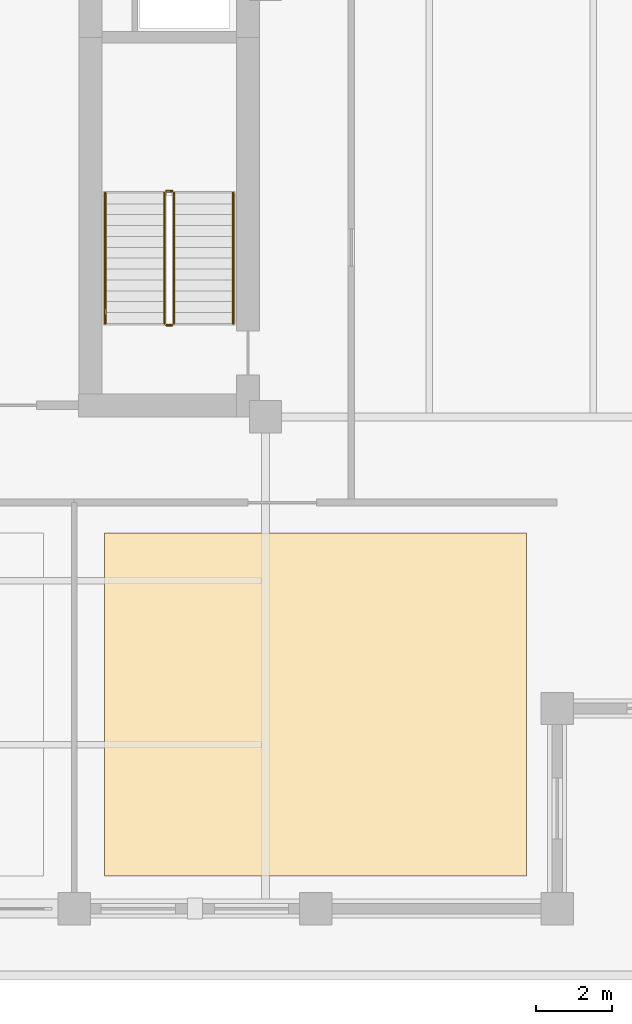
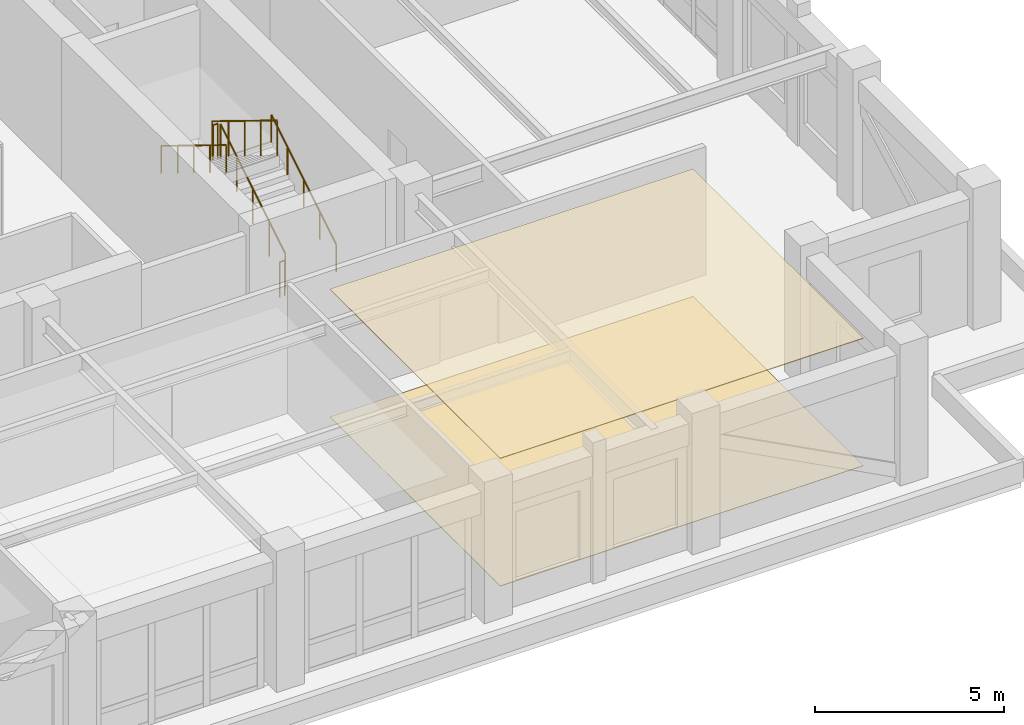
# One storey, part 13 of 14: 6 railings, 2 coverings.
"""IFC4 building model written with IfcOpenShell, lengths in metres."""

import ifcopenshell
import ifcopenshell.guid

model = None  # the IFC model being written
_history = None  # IfcOwnerHistory: only IFC2X3 demands one
_inside = {}  # id of a spatial element -> (the spatial element, [elements in it])
_under = {}  # id of a project, library or spatial element -> (it, [spatial elements below it])
_declared = {}  # id of a project -> (the project, [libraries it declares])
_typed = {}  # id of a type object -> (the type object, [elements of that type])
_made_of = {}  # id of a material, layer set ... -> (it, [elements and type objects made of it])


def new_model(schema):
    """Start an empty IFC model of exactly this schema.

    Asked for "IFC4X3", IfcOpenShell would pick the latest addendum, in which some entities
    have other attributes; the version numbers below select the first issue.
    IFC2X3 requires an IfcOwnerHistory on every rooted entity: one is made here for all.
    """
    global model, _history
    if schema == "IFC4X3":
        model = ifcopenshell.file(schema_version=(4, 3, 0, 0))
    else:
        model = ifcopenshell.file(schema=schema)
    _inside.clear()
    _under.clear()
    _declared.clear()
    _typed.clear()
    _made_of.clear()
    _history = None
    if model.schema == "IFC2X3":
        org = make("IfcOrganization", Name="unknown")
        user = make(
            "IfcPersonAndOrganization",
            ThePerson=make("IfcPerson", FamilyName="unknown"),
            TheOrganization=org,
        )
        app = make(
            "IfcApplication",
            ApplicationDeveloper=org,
            Version="unknown",
            ApplicationFullName="unknown",
            ApplicationIdentifier="unknown",
        )
        _history = make(
            "IfcOwnerHistory",
            OwningUser=user,
            OwningApplication=app,
            ChangeAction="ADDED",
            CreationDate=0,
        )
    return model


def make(cls, **values):
    """One entity of the class cls with the attributes given. An attribute that is None is left unset."""
    return model.create_entity(
        cls, **{name: value for name, value in values.items() if value is not None}
    )


def rooted(cls, **values):
    """An entity with a GlobalId (a new one), such as an element, a storey or a relation."""
    return make(cls, GlobalId=ifcopenshell.guid.new(), OwnerHistory=_history, **values)


def si_unit(unit_type, name, prefix=None):
    """IfcSIUnit, for example si_unit("LENGTHUNIT", "METRE", prefix="MILLI")."""
    return make("IfcSIUnit", UnitType=unit_type, Prefix=prefix, Name=name)


def assignment(units):
    """IfcUnitAssignment: the units of a project."""
    return None if units is None else make("IfcUnitAssignment", Units=units)


def point(xyz):
    """IfcCartesianPoint."""
    return None if xyz is None else make("IfcCartesianPoint", Coordinates=xyz)


def direction(xyz):
    """IfcDirection."""
    return None if xyz is None else make("IfcDirection", DirectionRatios=xyz)


def frame(location, z_axis=None, x_axis=None):
    """IfcAxis2Placement3D, a coordinate frame: its origin and axes. An axis left out is left unset."""
    return make(
        "IfcAxis2Placement3D",
        Location=point(location),
        Axis=direction(z_axis),
        RefDirection=direction(x_axis),
    )


def frame_2d(location, x_axis=None):
    """IfcAxis2Placement2D, a coordinate frame in the plane: its origin and x axis."""
    return make(
        "IfcAxis2Placement2D", Location=point(location), RefDirection=direction(x_axis)
    )


def origin():
    """The frame at (0, 0, 0) with its axes left unset."""
    return frame((0.0, 0.0, 0.0))


def origin_2d():
    """The frame at (0, 0) in the plane with its x axis left unset."""
    return frame_2d((0.0, 0.0))


def place(relative_to, where):
    """IfcLocalPlacement: puts the frame where relative to a parent placement (None: the world)."""
    return make(
        "IfcLocalPlacement", PlacementRelTo=relative_to, RelativePlacement=where
    )


def context(
    kind, dimensions, precision=None, world=None, true_north=None, identifier=None
):
    """IfcGeometricRepresentationContext, for example the 3D "Model" context."""
    return make(
        "IfcGeometricRepresentationContext",
        ContextIdentifier=identifier,
        ContextType=kind,
        CoordinateSpaceDimension=dimensions,
        Precision=precision,
        WorldCoordinateSystem=world,
        TrueNorth=true_north,
    )


def subcontext(parent, identifier, kind, view, scale=None):
    """IfcGeometricRepresentationSubContext, for example "Body" below "Model"."""
    return make(
        "IfcGeometricRepresentationSubContext",
        ContextIdentifier=identifier,
        ContextType=kind,
        ParentContext=parent,
        TargetScale=scale,
        TargetView=view,
    )


def project(units=None, contexts=None):
    """IfcProject with its units and contexts."""
    return rooted(
        "IfcProject",
        Name="project",
        RepresentationContexts=contexts,
        UnitsInContext=assignment(units),
    )


def spatial(cls, under=None, at=None, **own):
    """A site, building, storey or space (cls), placed at a placement, below another one or the project."""
    s = rooted(cls, ObjectPlacement=at, **own)
    if under is not None:
        _under.setdefault(under.id(), (under, []))[1].append(s)
    return s


def polyline(points):
    """IfcPolyline through the points."""
    return make("IfcPolyline", Points=[point(p) for p in points])


def profile(cls, at=None, kind="AREA", **sizes):
    """A parametric profile (cls). Its sizes go by their IFC names, for example OverallWidth=200.0."""
    return make(cls, ProfileType=kind, Position=at, **sizes)


def circle(**sizes):
    """IfcCircleProfileDef."""
    return profile("IfcCircleProfileDef", **sizes)


def outline(outer, holes=None, kind="AREA"):
    """IfcArbitraryClosedProfileDef: a profile drawn as a closed curve; with holes, ...WithVoids."""
    if holes is None:
        return make("IfcArbitraryClosedProfileDef", ProfileType=kind, OuterCurve=outer)
    return make(
        "IfcArbitraryProfileDefWithVoids",
        ProfileType=kind,
        OuterCurve=outer,
        InnerCurves=holes,
    )


def extrude(swept, where, along, depth):
    """IfcExtrudedAreaSolid: the profile swept, set in the frame where, extruded along a direction by depth."""
    return make(
        "IfcExtrudedAreaSolid",
        SweptArea=swept,
        Position=where,
        ExtrudedDirection=direction(along),
        Depth=depth,
    )


def shape(context_of_items, identifier, shape_type, items):
    """IfcShapeRepresentation: the items that make up one representation, for example the "Body"."""
    return make(
        "IfcShapeRepresentation",
        ContextOfItems=context_of_items,
        RepresentationIdentifier=identifier,
        RepresentationType=shape_type,
        Items=items,
    )


def material(Name=None, Category=None):
    """IfcMaterial."""
    return make("IfcMaterial", Name=Name, Category=Category)


def layer(
    of_material, thickness, ventilated=None, Name=None, Category=None, Priority=None
):
    """IfcMaterialLayer: one layer of a wall or slab, of a material (None: an air gap)."""
    return make(
        "IfcMaterialLayer",
        Material=of_material,
        LayerThickness=thickness,
        IsVentilated=ventilated,
        Name=Name,
        Category=Category,
        Priority=Priority,
    )


def layer_set(layers, Name=None):
    """IfcMaterialLayerSet."""
    return make("IfcMaterialLayerSet", MaterialLayers=layers, LayerSetName=Name)


def made_of(thing, what):
    """Note that an element or type object is made of a material, layer set ...; save() writes the relation."""
    if what is not None:
        _made_of.setdefault(what.id(), (what, []))[1].append(thing)
    return thing


def type_object(cls, material=None, **own):
    """A type object (cls), such as IfcWallType, which elements share."""
    return made_of(rooted(cls, **own), material)


def element(
    cls,
    number,
    at=None,
    inside=None,
    cuts=None,
    type_object=None,
    material=None,
    context=None,
    identifier="Body",
    shape_type=None,
    held_by="IfcProductDefinitionShape",
    body=None,
    shapes=None,
    **own,
):
    """One element of the class cls, such as IfcWall. Its Tag is "e" and its number.

    at: its placement. inside: the storey or other place that contains it. cuts: it is an
    opening in that element (IfcRelVoidsElement). A single representation is given by context,
    identifier, shape_type and body (its items); several are given by shapes. held_by: the class
    of the entity that holds the representations. save() writes the other relations.
    """
    e = rooted(cls, Tag="e%d" % number, ObjectPlacement=at, **own)
    if body is not None:
        shapes = [shape(context, identifier, shape_type, body)]
    if shapes is not None:
        e.Representation = make(held_by, Representations=shapes)
    if inside is not None:
        _inside.setdefault(inside.id(), (inside, []))[1].append(e)
    if cuts is not None:
        rooted(
            "IfcRelVoidsElement", RelatingBuildingElement=cuts, RelatedOpeningElement=e
        )
    if type_object is not None:
        _typed.setdefault(type_object.id(), (type_object, []))[1].append(e)
    return made_of(e, material)


def aggregate(whole, parts):
    """IfcRelAggregates: a whole, such as a stair, and the parts it consists of."""
    return rooted("IfcRelAggregates", RelatingObject=whole, RelatedObjects=parts)


def save(model, path):
    """Write the relations noted so far, then the file.

    IfcRelAggregates (storeys below a building ...), IfcRelContainedInSpatialStructure (elements
    in a storey), IfcRelDefinesByType, IfcRelAssociatesMaterial and IfcRelDeclares: one each for
    every whole, place, type object, material and project.
    """
    for whole, parts in _under.values():
        aggregate(whole, parts)
    for where, things in _inside.values():
        rooted(
            "IfcRelContainedInSpatialStructure",
            RelatedElements=things,
            RelatingStructure=where,
        )
    for kind, things in _typed.values():
        rooted("IfcRelDefinesByType", RelatedObjects=things, RelatingType=kind)
    for what, things in _made_of.values():
        rooted("IfcRelAssociatesMaterial", RelatedObjects=things, RelatingMaterial=what)
    for by, libraries in _declared.values():
        rooted("IfcRelDeclares", RelatingContext=by, RelatedDefinitions=libraries)
    model.write(path)


model = new_model("IFC4")

# Units and contexts
model_context = context("Model", 3, precision=1e-05, world=origin(), true_north=direction((0.0, 1.0)))
body_context = subcontext(model_context, "Body", "Model", "MODEL_VIEW")
ifc_project = project(units=[si_unit("LENGTHUNIT", "METRE"), si_unit("AREAUNIT", "SQUARE_METRE"), si_unit("VOLUMEUNIT", "CUBIC_METRE"), si_unit("PLANEANGLEUNIT", "RADIAN"), si_unit("MASSUNIT", "GRAM", prefix="KILO")], contexts=[model_context])

# Site, building, storey
site_placement = place(None, origin())
site = spatial("IfcSite", under=ifc_project, at=site_placement, CompositionType="ELEMENT")
building_placement = place(site_placement, origin())
building = spatial("IfcBuilding", under=site, at=building_placement, Name="Nhamokura Convention Tower", CompositionType="ELEMENT")
storey_placement = place(building_placement, frame((0.0, 0.0, 182.35009765625)))
storey = spatial("IfcBuildingStorey", under=building, at=storey_placement, Name="L44", CompositionType="ELEMENT", Elevation=182.35009765625)

# Covering
ifc_material_1 = material(Name="Mineral-fibre acoustic ceiling tile", Category="gypsum")
ifc_layer_1 = layer(ifc_material_1, 0.02490234375)
ifc_layer_set_1 = layer_set([ifc_layer_1], Name="AcousticTileCeiling_25")
covering_type_1 = type_object("IfcCoveringType", Name="AcousticTileCeiling_25", PredefinedType="CEILING", material=ifc_layer_set_1)
covering_1_placement = place(storey_placement, frame((0.0, 0.0, 4.10498046875)))
element("IfcCovering", 1, at=covering_1_placement, inside=storey, type_object=covering_type_1, Name="L44 Suspended Ceiling 03", PredefinedType="CEILING", context=body_context, shape_type="SweptSolid", body=[
    extrude(outline(polyline([(39.13330078125, 8.610107421875), (50.199951171875, 8.610107421875), (50.199951171875, 17.60009765625), (39.13330078125, 17.60009765625), (39.13330078125, 8.610107421875)])), origin(), (0.0, 0.0, 1.0), 0.02490234375),
])

# Railings
ifc_material_2 = material(Name="Anodised bronze stainless steel", Category="steel")
railing_type_1 = type_object("IfcRailingType", Name="StairWallHandrail_900", PredefinedType="HANDRAIL", material=ifc_material_2)
railing_1_placement = place(storey_placement, frame((42.5, 23.10009765625, 0.1748046875)))
element("IfcRailing", 2, at=railing_1_placement, inside=storey, type_object=railing_type_1, Name="L44 ST-02 stair handrail 1", PredefinedType="HANDRAIL", context=body_context, shape_type="SweptSolid", body=[
    extrude(circle(Radius=0.02392578125, at=origin_2d()), frame((0.0, 0.0, 0.8759765625), z_axis=(0.0, 0.852155044755, 0.523289384279), x_axis=(-1.0, 0.0, 0.0)), (0.0, 0.0, 1.0), 4.01318359375),
    extrude(circle(Radius=0.02099609375, at=origin_2d()), origin(), (0.0, 0.0, 1.0), 0.851806640625),
    extrude(circle(Radius=0.02099609375, at=origin_2d()), frame((0.0, 0.85498046875, 0.52490234375)), (0.0, 0.0, 1.0), 0.851806640625),
    extrude(circle(Radius=0.02099609375, at=origin_2d()), frame((0.0, 1.7099609375, 1.050048828125)), (0.0, 0.0, 1.0), 0.851806640625),
    extrude(circle(Radius=0.02099609375, at=origin_2d()), frame((0.0, 2.56494140625, 1.5751953125)), (0.0, 0.0, 1.0), 0.851806640625),
    extrude(circle(Radius=0.02099609375, at=origin_2d()), frame((0.0, 3.419921875, 2.10009765625)), (0.0, 0.0, 1.0), 0.851806640625),
])
railing_2_placement = place(storey_placement, frame((39.14990234375, 26.52001953125, 2.449951171875)))
element("IfcRailing", 3, at=railing_2_placement, inside=storey, type_object=railing_type_1, Name="L44 ST-02 stair handrail 2", PredefinedType="HANDRAIL", context=body_context, shape_type="SweptSolid", body=[
    extrude(circle(Radius=0.02392578125, at=origin_2d()), frame((0.0, 0.0, 0.8759765625), z_axis=(0.0, -0.852182171552, 0.523245206847), x_axis=(1.0, 0.0, 0.0)), (0.0, 0.0, 1.0), 4.01318359375),
    extrude(circle(Radius=0.02099609375, at=origin_2d()), origin(), (0.0, 0.0, 1.0), 0.851806640625),
    extrude(circle(Radius=0.02099609375, at=origin_2d()), frame((0.0, -0.85498046875, 0.52490234375)), (0.0, 0.0, 1.0), 0.851806640625),
    extrude(circle(Radius=0.02099609375, at=origin_2d()), frame((0.0, -1.7099609375, 1.0498046875)), (0.0, 0.0, 1.0), 0.851806640625),
    extrude(circle(Radius=0.02099609375, at=origin_2d()), frame((0.0, -2.56494140625, 1.574951171875)), (0.0, 0.0, 1.0), 0.851806640625),
    extrude(circle(Radius=0.02099609375, at=origin_2d()), frame((0.0, -3.419921875, 2.099853515625)), (0.0, 0.0, 1.0), 0.851806640625),
])
ifc_material_3 = material(Name="Painted tubular steel", Category="steel")
railing_type_2 = type_object("IfcRailingType", Name="StairWellGuardrail_1150", PredefinedType="GUARDRAIL", material=ifc_material_3)
railing_3_placement = place(storey_placement, frame((40.949951171875, 23.10009765625, 0.1748046875)))
element("IfcRailing", 4, at=railing_3_placement, inside=storey, type_object=railing_type_2, Name="L44 ST-02 stair guard 1", PredefinedType="GUARDRAIL", context=body_context, shape_type="SweptSolid", body=[
    extrude(circle(Radius=0.02392578125, at=origin_2d()), frame((0.0, 0.0, 1.1259765625), z_axis=(0.0, 0.852155044755, 0.523289384279), x_axis=(-1.0, 0.0, 0.0)), (0.0, 0.0, 1.0), 4.01318359375),
    extrude(circle(Radius=0.02099609375, at=origin_2d()), origin(), (0.0, 0.0, 1.0), 1.101806640625),
    extrude(circle(Radius=0.02099609375, at=origin_2d()), frame((0.0, 0.85498046875, 0.52490234375)), (0.0, 0.0, 1.0), 1.101806640625),
    extrude(circle(Radius=0.02099609375, at=origin_2d()), frame((0.0, 1.7099609375, 1.050048828125)), (0.0, 0.0, 1.0), 1.101806640625),
    extrude(circle(Radius=0.02099609375, at=origin_2d()), frame((0.0, 2.56494140625, 1.5751953125)), (0.0, 0.0, 1.0), 1.101806640625),
    extrude(circle(Radius=0.02099609375, at=origin_2d()), frame((0.0, 3.419921875, 2.10009765625)), (0.0, 0.0, 1.0), 1.101806640625),
])
railing_4_placement = place(storey_placement, frame((40.89990234375, 26.570068359375, 2.27490234375)))
element("IfcRailing", 5, at=railing_4_placement, inside=storey, type_object=railing_type_2, Name="L44 ST-02 stair guard 2", PredefinedType="GUARDRAIL", context=body_context, shape_type="SweptSolid", body=[
    extrude(circle(Radius=0.02392578125, at=origin_2d()), frame((0.0, 0.0, 1.1259765625), z_axis=(-1.0, 0.0, 0.0), x_axis=(0.0, -1.0, 0.0)), (0.0, 0.0, 1.0), 0.14990234375),
    extrude(circle(Radius=0.02099609375, at=origin_2d()), origin(), (0.0, 0.0, 1.0), 1.101806640625),
    extrude(circle(Radius=0.02099609375, at=origin_2d()), frame((-0.14990234375, 0.0, 0.0)), (0.0, 0.0, 1.0), 1.101806640625),
])
railing_5_placement = place(storey_placement, frame((40.699951171875, 26.52001953125, 2.449951171875)))
element("IfcRailing", 6, at=railing_5_placement, inside=storey, type_object=railing_type_2, Name="L44 ST-02 stair guard 3", PredefinedType="GUARDRAIL", context=body_context, shape_type="SweptSolid", body=[
    extrude(circle(Radius=0.02392578125, at=origin_2d()), frame((0.0, 0.0, 1.1259765625), z_axis=(0.0, -0.852182171552, 0.523245206847), x_axis=(1.0, 0.0, 0.0)), (0.0, 0.0, 1.0), 4.01318359375),
    extrude(circle(Radius=0.02099609375, at=origin_2d()), origin(), (0.0, 0.0, 1.0), 1.101806640625),
    extrude(circle(Radius=0.02099609375, at=origin_2d()), frame((0.0, -0.85498046875, 0.52490234375)), (0.0, 0.0, 1.0), 1.101806640625),
    extrude(circle(Radius=0.02099609375, at=origin_2d()), frame((0.0, -1.7099609375, 1.0498046875)), (0.0, 0.0, 1.0), 1.101806640625),
    extrude(circle(Radius=0.02099609375, at=origin_2d()), frame((0.0, -2.56494140625, 1.574951171875)), (0.0, 0.0, 1.0), 1.101806640625),
    extrude(circle(Radius=0.02099609375, at=origin_2d()), frame((0.0, -3.419921875, 2.099853515625)), (0.0, 0.0, 1.0), 1.101806640625),
])
railing_6_placement = place(storey_placement, frame((40.89990234375, 23.050048828125, 0.0)))
element("IfcRailing", 7, at=railing_6_placement, inside=storey, type_object=railing_type_2, Name="L44 ST-02 stair guard 4", PredefinedType="GUARDRAIL", context=body_context, shape_type="SweptSolid", body=[
    extrude(circle(Radius=0.02392578125, at=origin_2d()), frame((0.0, 0.0, 1.1259765625), z_axis=(-1.0, 0.0, 0.0), x_axis=(0.0, -1.0, 0.0)), (0.0, 0.0, 1.0), 0.14990234375),
    extrude(circle(Radius=0.02099609375, at=origin_2d()), origin(), (0.0, 0.0, 1.0), 1.101806640625),
    extrude(circle(Radius=0.02099609375, at=origin_2d()), frame((-0.14990234375, 0.0, 0.0)), (0.0, 0.0, 1.0), 1.101806640625),
])

# Covering
ifc_material_4 = material(Name="Acoustic woven hospitality carpet", Category="wood")
ifc_layer_2 = layer(ifc_material_4, 0.014892578125)
ifc_layer_set_2 = layer_set([ifc_layer_2], Name="WovenCarpetFlooring_15")
covering_type_2 = type_object("IfcCoveringType", Name="WovenCarpetFlooring_15", PredefinedType="FLOORING", material=ifc_layer_set_2)
covering_2_placement = place(storey_placement, origin())
element("IfcCovering", 8, at=covering_2_placement, inside=storey, type_object=covering_type_2, Name="L44 Finish Flooring 03", PredefinedType="FLOORING", context=body_context, shape_type="SweptSolid", body=[
    extrude(outline(polyline([(39.13330078125, 8.610107421875), (50.199951171875, 8.610107421875), (50.199951171875, 17.60009765625), (39.13330078125, 17.60009765625), (39.13330078125, 8.610107421875)])), origin(), (0.0, 0.0, 1.0), 0.014892578125),
])

save(model, "model.ifc")
